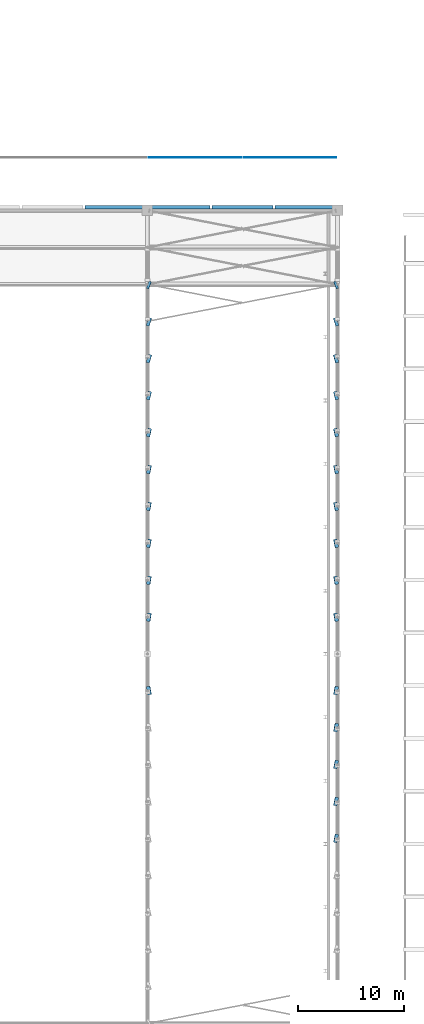
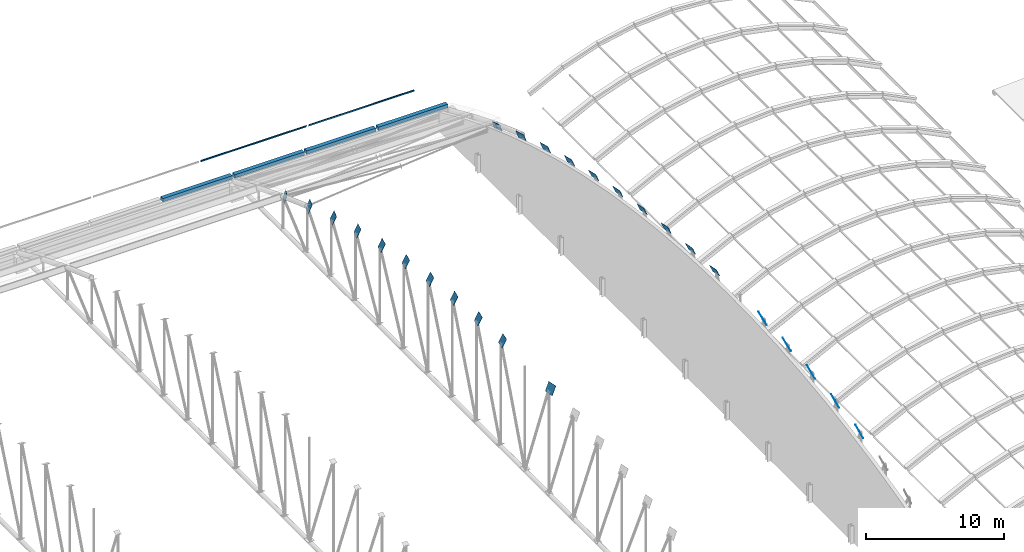
# One storey, part 141 of 196: 32 discrete accessories.
"""IFC4 building model written with IfcOpenShell, lengths in metres."""

from ifc_helpers import new_model, si_unit, direction, frame, origin, origin_2d, place, context, subcontext, project, spatial, polyline, rectangle, outline, extrude, material, layer, layer_set, type_object, element, save


model = new_model("IFC4")

# Units and contexts
model_context = context("Model", 3, precision=1e-05, world=origin(), true_north=direction((0.0, 1.0)))
body_context = subcontext(model_context, "Body", "Model", "MODEL_VIEW")
ifc_project = project(units=[si_unit("LENGTHUNIT", "METRE"), si_unit("AREAUNIT", "SQUARE_METRE"), si_unit("VOLUMEUNIT", "CUBIC_METRE"), si_unit("PLANEANGLEUNIT", "RADIAN"), si_unit("MASSUNIT", "GRAM", prefix="KILO")], contexts=[model_context])

# Site, building, storey
site_placement = place(None, origin())
site = spatial("IfcSite", under=ifc_project, at=site_placement, CompositionType="ELEMENT")
building_placement = place(site_placement, origin())
building = spatial("IfcBuilding", under=site, at=building_placement, Name="Okhra Congress Centre", CompositionType="ELEMENT")
storey_placement = place(building_placement, frame((0.0, 0.0, 12.0)))
storey = spatial("IfcBuildingStorey", under=building, at=storey_placement, Name="L02", CompositionType="ELEMENT", Elevation=12.0)

# Discrete accessories
ifc_material_1 = material(Name="Steel S355J2", Category="steel")
ifc_layer = layer(ifc_material_1, 0.02001953125)
ifc_layer_set = layer_set([ifc_layer], Name="Brace end connection plate 20 mm S355")
discrete_accessory_type_1 = type_object("IfcDiscreteAccessoryType", Name="Brace end connection plate 20 mm S355", PredefinedType="BRACKET", material=ifc_layer_set)
for number, where, z_axis, x_axis, name in (
    (1, (136.15087890625, 170.527587890625, 10.663330078125), (-0.890310108805, -0.158548375541, 0.426861011071), (0.175323844201, -0.984510817439, 0.0), "Brace end connection plate"),
    (2, (136.15087890625, 177.472412109375, 10.663330078125), (-0.890310108805, 0.158548375541, 0.426861011071), (-0.175323844201, -0.984510817439, 0.0), "Brace end connection plate"),
):
    element("IfcDiscreteAccessory", number, at=place(storey_placement, frame(where, z_axis=z_axis, x_axis=x_axis)), inside=storey, type_object=discrete_accessory_type_1, Name=name, PredefinedType="BRACKET", context=body_context, shape_type="SweptSolid", body=[
        extrude(rectangle(XDim=0.797119140625, YDim=0.797119140625, at=origin_2d()), origin(), (0.0, 0.0, 1.0), 0.02001953125),
    ])
discrete_accessory_1_placement = place(storey_placement, frame((136.15087890625, 180.97216796875, 10.4775390625), z_axis=(-0.890310108805, 0.158548375541, 0.426861011071), x_axis=(-0.175323844201, -0.984510817439, 0.0)))
element("IfcDiscreteAccessory", 3, at=discrete_accessory_1_placement, inside=storey, type_object=discrete_accessory_type_1, Name="Brace end connection plate", PredefinedType="BRACKET", context=body_context, shape_type="SweptSolid", body=[
    extrude(rectangle(XDim=0.794921875, YDim=0.794921875, at=origin_2d()), origin(), (0.0, 0.0, 1.0), 0.02001953125),
])
for number, where, z_axis, x_axis, name in (
    (4, (136.150634765625, 184.471435546875, 10.166259765625), (-0.89310418461, 0.171280254583, 0.415966332558), (-0.188348382319, -0.982102279235, 0.0), "Brace end connection plate"),
    (5, (136.150634765625, 187.97021484375, 9.728515625), (-0.89310418461, 0.171280254583, 0.415966332558), (-0.188348382319, -0.982102279235, 0.0), "Brace end connection plate"),
):
    element("IfcDiscreteAccessory", number, at=place(storey_placement, frame(where, z_axis=z_axis, x_axis=x_axis)), inside=storey, type_object=discrete_accessory_type_1, Name=name, PredefinedType="BRACKET", context=body_context, shape_type="SweptSolid", body=[
        extrude(rectangle(XDim=0.79296875, YDim=0.79296875, at=origin_2d()), origin(), (0.0, 0.0, 1.0), 0.02001953125),
    ])
discrete_accessory_2_placement = place(storey_placement, frame((136.150390625, 191.468505859375, 9.16259765625), z_axis=(-0.891172137936, 0.18311756259, 0.415066475203), x_axis=(-0.20127429835, -0.979534918634, 0.0)))
element("IfcDiscreteAccessory", 6, at=discrete_accessory_2_placement, inside=storey, type_object=discrete_accessory_type_1, Name="Brace end connection plate", PredefinedType="BRACKET", context=body_context, shape_type="SweptSolid", body=[
    extrude(rectangle(XDim=0.7919921875, YDim=0.7919921875, at=origin_2d()), origin(), (0.0, 0.0, 1.0), 0.02001953125),
])
discrete_accessory_3_placement = place(storey_placement, frame((136.150390625, 194.966064453125, 8.46630859375), z_axis=(-0.88652742044, 0.197006093431, 0.418637948541), x_axis=(-0.216930457819, -0.976187060184, 0.0)))
element("IfcDiscreteAccessory", 7, at=discrete_accessory_3_placement, inside=storey, type_object=discrete_accessory_type_1, Name="Brace end connection plate", PredefinedType="BRACKET", context=body_context, shape_type="SweptSolid", body=[
    extrude(rectangle(XDim=0.7919921875, YDim=0.7919921875, at=origin_2d()), origin(), (0.0, 0.0, 1.0), 0.019775390625),
])
discrete_accessory_4_placement = place(storey_placement, frame((136.150634765625, 198.46240234375, 7.63720703125), z_axis=(-0.893371661161, 0.2202834233, 0.391614974756), x_axis=(-0.239404887501, -0.97091982153, 0.0)))
element("IfcDiscreteAccessory", 8, at=discrete_accessory_4_placement, inside=storey, type_object=discrete_accessory_type_1, Name="Brace end connection plate", PredefinedType="BRACKET", context=body_context, shape_type="SweptSolid", body=[
    extrude(rectangle(XDim=0.79296875, YDim=0.79296875, at=origin_2d()), origin(), (0.0, 0.0, 1.0), 0.02001953125),
])
discrete_accessory_5_placement = place(storey_placement, frame((136.15087890625, 201.95703125, 6.671630859375), z_axis=(-0.885645843718, 0.254774831754, 0.388228315054), x_axis=(-0.2764594172, -0.961025593125, 0.0)))
element("IfcDiscreteAccessory", 9, at=discrete_accessory_5_placement, inside=storey, type_object=discrete_accessory_type_1, Name="Brace end connection plate", PredefinedType="BRACKET", context=body_context, shape_type="SweptSolid", body=[
    extrude(rectangle(XDim=0.794921875, YDim=0.794921875, at=origin_2d()), origin(), (0.0, 0.0, 1.0), 0.02001953125),
])
discrete_accessory_6_placement = place(storey_placement, frame((136.1513671875, 205.448974609375, 5.566650390625), z_axis=(-0.891903506248, 0.281010693749, 0.354317831249), x_axis=(-0.300506003221, -0.953779923267, 0.0)))
element("IfcDiscreteAccessory", 10, at=discrete_accessory_6_placement, inside=storey, type_object=discrete_accessory_type_1, Name="Brace end connection plate", PredefinedType="BRACKET", context=body_context, shape_type="SweptSolid", body=[
    extrude(rectangle(XDim=0.800048828125, YDim=0.800048828125, at=origin_2d()), origin(), (0.0, 0.0, 1.0), 0.02001953125),
])
discrete_accessory_7_placement = place(storey_placement, frame((136.151611328125, 208.935302734375, 4.318603515625), z_axis=(-0.888791088931, 0.353081391493, 0.292205289512), x_axis=(-0.36919466432, -0.929352086046, 0.0)))
element("IfcDiscreteAccessory", 11, at=discrete_accessory_7_placement, inside=storey, type_object=discrete_accessory_type_1, Name="Brace end connection plate", PredefinedType="BRACKET", context=body_context, shape_type="SweptSolid", body=[
    extrude(rectangle(XDim=0.73193359375, YDim=0.73193359375, at=origin_2d()), origin(), (0.0, 0.0, 1.0), 0.02001953125),
])
discrete_accessory_8_placement = place(storey_placement, frame((153.849609375, 156.531494140625, 9.16259765625), z_axis=(0.891172137936, -0.18311756259, 0.415066475203), x_axis=(0.20127429835, 0.979534918634, 0.0)))
element("IfcDiscreteAccessory", 12, at=discrete_accessory_8_placement, inside=storey, type_object=discrete_accessory_type_1, Name="Brace end connection plate", PredefinedType="BRACKET", context=body_context, shape_type="SweptSolid", body=[
    extrude(rectangle(XDim=0.7919921875, YDim=0.7919921875, at=origin_2d()), origin(), (0.0, 0.0, 1.0), 0.02001953125),
])
for number, where, z_axis, x_axis, name in (
    (13, (153.849365234375, 160.02978515625, 9.728515625), (0.89310418461, -0.171280254583, 0.415966332558), (0.188348382319, 0.982102279235, 0.0), "Brace end connection plate"),
    (14, (153.849365234375, 163.528564453125, 10.166259765625), (0.89310418461, -0.171280254583, 0.415966332558), (0.188348382319, 0.982102279235, 0.0), "Brace end connection plate"),
):
    element("IfcDiscreteAccessory", number, at=place(storey_placement, frame(where, z_axis=z_axis, x_axis=x_axis)), inside=storey, type_object=discrete_accessory_type_1, Name=name, PredefinedType="BRACKET", context=body_context, shape_type="SweptSolid", body=[
        extrude(rectangle(XDim=0.79296875, YDim=0.79296875, at=origin_2d()), origin(), (0.0, 0.0, 1.0), 0.02001953125),
    ])
discrete_accessory_9_placement = place(storey_placement, frame((153.84912109375, 167.02783203125, 10.4775390625), z_axis=(0.890310108805, -0.158548375541, 0.426861011071), x_axis=(0.175323844201, 0.984510817439, 0.0)))
element("IfcDiscreteAccessory", 15, at=discrete_accessory_9_placement, inside=storey, type_object=discrete_accessory_type_1, Name="Brace end connection plate", PredefinedType="BRACKET", context=body_context, shape_type="SweptSolid", body=[
    extrude(rectangle(XDim=0.794921875, YDim=0.794921875, at=origin_2d()), origin(), (0.0, 0.0, 1.0), 0.02001953125),
])
for number, where, z_axis, x_axis, name in (
    (16, (153.84912109375, 170.527587890625, 10.663330078125), (0.890310108805, -0.158548375541, 0.426861011071), (0.175323844201, 0.984510817439, 0.0), "Brace end connection plate"),
    (17, (153.84912109375, 177.472412109375, 10.663330078125), (0.890310108805, 0.158548375541, 0.426861011071), (-0.175323844201, 0.984510817439, 0.0), "Brace end connection plate"),
):
    element("IfcDiscreteAccessory", number, at=place(storey_placement, frame(where, z_axis=z_axis, x_axis=x_axis)), inside=storey, type_object=discrete_accessory_type_1, Name=name, PredefinedType="BRACKET", context=body_context, shape_type="SweptSolid", body=[
        extrude(rectangle(XDim=0.797119140625, YDim=0.797119140625, at=origin_2d()), origin(), (0.0, 0.0, 1.0), 0.02001953125),
    ])
discrete_accessory_10_placement = place(storey_placement, frame((153.84912109375, 180.97216796875, 10.4775390625), z_axis=(0.890310108805, 0.158548375541, 0.426861011071), x_axis=(-0.175323844201, 0.984510817439, 0.0)))
element("IfcDiscreteAccessory", 18, at=discrete_accessory_10_placement, inside=storey, type_object=discrete_accessory_type_1, Name="Brace end connection plate", PredefinedType="BRACKET", context=body_context, shape_type="SweptSolid", body=[
    extrude(rectangle(XDim=0.794921875, YDim=0.794921875, at=origin_2d()), origin(), (0.0, 0.0, 1.0), 0.02001953125),
])
for number, where, z_axis, x_axis, name in (
    (19, (153.849365234375, 184.471435546875, 10.166259765625), (0.89310418461, 0.171280254583, 0.415966332558), (-0.188348382319, 0.982102279235, 0.0), "Brace end connection plate"),
    (20, (153.849365234375, 187.97021484375, 9.728515625), (0.89310418461, 0.171280254583, 0.415966332558), (-0.188348382319, 0.982102279235, 0.0), "Brace end connection plate"),
):
    element("IfcDiscreteAccessory", number, at=place(storey_placement, frame(where, z_axis=z_axis, x_axis=x_axis)), inside=storey, type_object=discrete_accessory_type_1, Name=name, PredefinedType="BRACKET", context=body_context, shape_type="SweptSolid", body=[
        extrude(rectangle(XDim=0.79296875, YDim=0.79296875, at=origin_2d()), origin(), (0.0, 0.0, 1.0), 0.02001953125),
    ])
discrete_accessory_11_placement = place(storey_placement, frame((153.849609375, 191.468505859375, 9.16259765625), z_axis=(0.891172137936, 0.18311756259, 0.415066475203), x_axis=(-0.20127429835, 0.979534918634, 0.0)))
element("IfcDiscreteAccessory", 21, at=discrete_accessory_11_placement, inside=storey, type_object=discrete_accessory_type_1, Name="Brace end connection plate", PredefinedType="BRACKET", context=body_context, shape_type="SweptSolid", body=[
    extrude(rectangle(XDim=0.7919921875, YDim=0.7919921875, at=origin_2d()), origin(), (0.0, 0.0, 1.0), 0.02001953125),
])
discrete_accessory_12_placement = place(storey_placement, frame((153.849609375, 194.966064453125, 8.46630859375), z_axis=(0.88652742044, 0.197006093431, 0.418637948541), x_axis=(-0.216930457819, 0.976187060184, 0.0)))
element("IfcDiscreteAccessory", 22, at=discrete_accessory_12_placement, inside=storey, type_object=discrete_accessory_type_1, Name="Brace end connection plate", PredefinedType="BRACKET", context=body_context, shape_type="SweptSolid", body=[
    extrude(rectangle(XDim=0.7919921875, YDim=0.7919921875, at=origin_2d()), origin(), (0.0, 0.0, 1.0), 0.019775390625),
])
discrete_accessory_13_placement = place(storey_placement, frame((153.849365234375, 198.46240234375, 7.63720703125), z_axis=(0.893371661161, 0.2202834233, 0.391614974756), x_axis=(-0.239404887501, 0.97091982153, 0.0)))
element("IfcDiscreteAccessory", 23, at=discrete_accessory_13_placement, inside=storey, type_object=discrete_accessory_type_1, Name="Brace end connection plate", PredefinedType="BRACKET", context=body_context, shape_type="SweptSolid", body=[
    extrude(rectangle(XDim=0.79296875, YDim=0.79296875, at=origin_2d()), origin(), (0.0, 0.0, 1.0), 0.02001953125),
])
discrete_accessory_14_placement = place(storey_placement, frame((153.84912109375, 201.95703125, 6.671630859375), z_axis=(0.885645843718, 0.254774831754, 0.388228315054), x_axis=(-0.2764594172, 0.961025593125, 0.0)))
element("IfcDiscreteAccessory", 24, at=discrete_accessory_14_placement, inside=storey, type_object=discrete_accessory_type_1, Name="Brace end connection plate", PredefinedType="BRACKET", context=body_context, shape_type="SweptSolid", body=[
    extrude(rectangle(XDim=0.794921875, YDim=0.794921875, at=origin_2d()), origin(), (0.0, 0.0, 1.0), 0.02001953125),
])
discrete_accessory_15_placement = place(storey_placement, frame((153.8486328125, 205.448974609375, 5.566650390625), z_axis=(0.891903506248, 0.281010693749, 0.354317831249), x_axis=(-0.300506003221, 0.953779923267, 0.0)))
element("IfcDiscreteAccessory", 25, at=discrete_accessory_15_placement, inside=storey, type_object=discrete_accessory_type_1, Name="Brace end connection plate", PredefinedType="BRACKET", context=body_context, shape_type="SweptSolid", body=[
    extrude(rectangle(XDim=0.800048828125, YDim=0.800048828125, at=origin_2d()), origin(), (0.0, 0.0, 1.0), 0.02001953125),
])
discrete_accessory_16_placement = place(storey_placement, frame((153.848388671875, 208.935302734375, 4.318603515625), z_axis=(0.888791088931, 0.353081391493, 0.292205289512), x_axis=(-0.36919466432, 0.929352086046, 0.0)))
element("IfcDiscreteAccessory", 26, at=discrete_accessory_16_placement, inside=storey, type_object=discrete_accessory_type_1, Name="Brace end connection plate", PredefinedType="BRACKET", context=body_context, shape_type="SweptSolid", body=[
    extrude(rectangle(XDim=0.73193359375, YDim=0.73193359375, at=origin_2d()), origin(), (0.0, 0.0, 1.0), 0.02001953125),
])
ifc_material_2 = material(Name="Stainless steel box gutter with self-regulating heating cable", Category="steel")
discrete_accessory_type_2 = type_object("IfcDiscreteAccessoryType", Name="Heated box gutter 350x300", PredefinedType="USERDEFINED", material=ifc_material_2)
for number, where, z_axis, x_axis, name in (
    (27, (133.0, 216.30810546875, 1.59228515625), (0.0, 0.0, 1.0), (1.0, 0.0, 0.0), "Heated box gutter"),
    (28, (139.0, 216.30810546875, 1.59228515625), (0.0, 0.0, 1.0), (1.0, 0.0, 0.0), "Heated box gutter"),
    (29, (145.0, 216.30810546875, 1.59228515625), (0.0, 0.0, 1.0), (1.0, 0.0, 0.0), "Heated box gutter"),
    (30, (151.0, 216.30810546875, 1.59228515625), (0.0, 0.0, 1.0), (1.0, 0.0, 0.0), "Heated box gutter"),
):
    element("IfcDiscreteAccessory", number, at=place(storey_placement, frame(where, z_axis=z_axis, x_axis=x_axis)), inside=storey, type_object=discrete_accessory_type_2, Name=name, ObjectType="HEATED GUTTER", PredefinedType="USERDEFINED", context=body_context, shape_type="SweptSolid", body=[
        extrude(rectangle(XDim=5.800048828125, YDim=0.35009765625, at=origin_2d()), origin(), (0.0, 0.0, 1.0), 0.300048828125),
    ])
ifc_material_3 = material(Name="Stainless steel snow retention bar clamped to the roof seams", Category="steel")
discrete_accessory_type_3 = type_object("IfcDiscreteAccessoryType", Name="Snow guard rail 50x120", PredefinedType="USERDEFINED", material=ifc_material_3)
for number, where, z_axis, x_axis, name in (
    (31, (136.10009765625, 221.0, 0.2080078125), (0.0, 0.048722553713, 0.998812351125), (1.0, 0.0, 0.0), "Snow guard rail"),
    (32, (145.10009765625, 221.0, 0.2080078125), (0.0, 0.048722553713, 0.998812351125), (1.0, 0.0, 0.0), "Snow guard rail"),
):
    element("IfcDiscreteAccessory", number, at=place(storey_placement, frame(where, z_axis=z_axis, x_axis=x_axis)), inside=storey, type_object=discrete_accessory_type_3, Name=name, ObjectType="SNOW GUARD", PredefinedType="USERDEFINED", context=body_context, shape_type="SweptSolid", body=[
        extrude(outline(polyline([(0.0, 0.0), (8.7998046875, 0.0), (8.7998046875, 0.05010833923772898), (0.0, 0.05010833923772898), (0.0, 0.0)])), origin(), (0.0, 0.0, -1.0), 0.1201171875),
    ])

save(model, "model.ifc")
